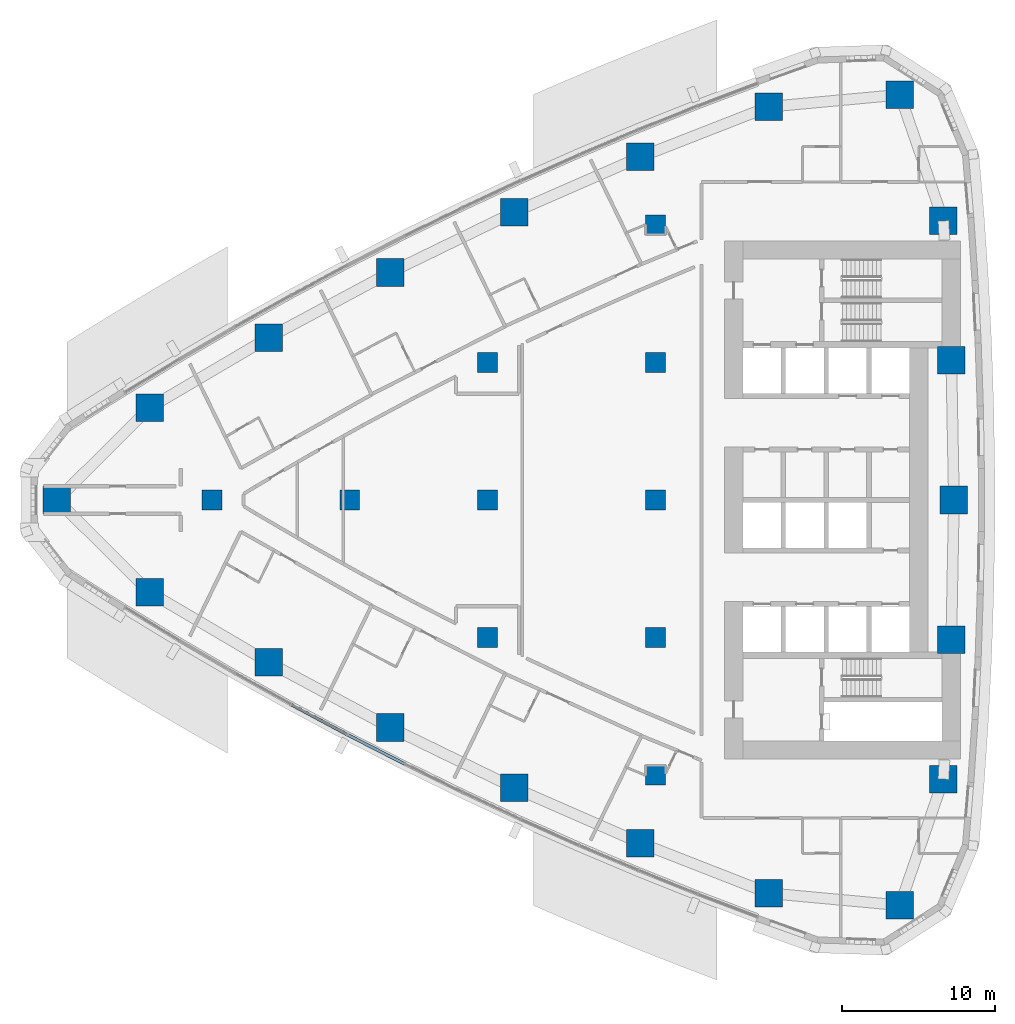
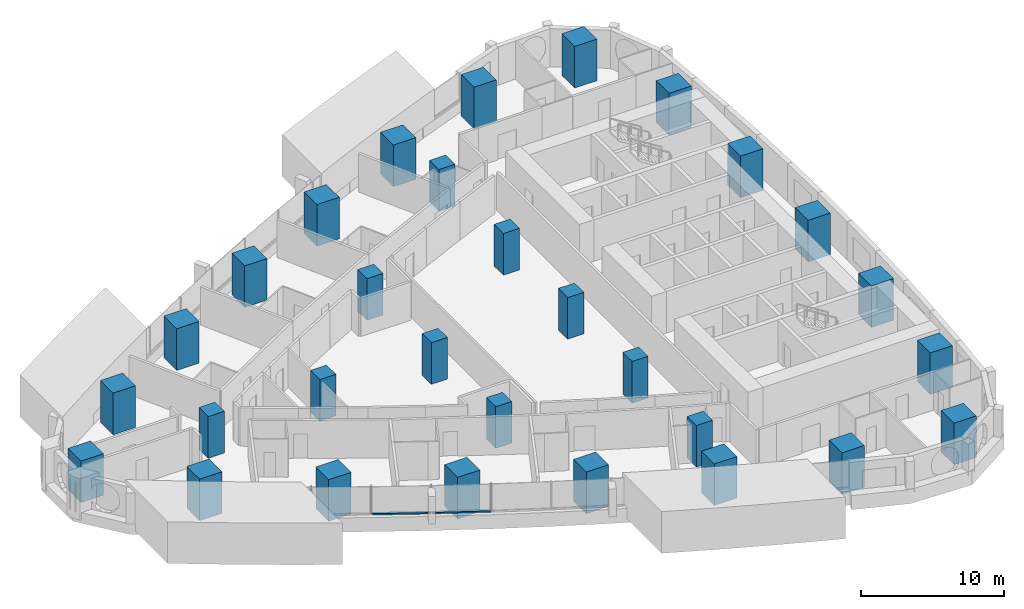
# One storey, part 1 of 19: 30 columns, 2 members, 1 element without a shape of its own.
"""IFC4 building model written with IfcOpenShell, lengths in metres."""

import ifcopenshell
import ifcopenshell.guid

model = None  # the IFC model being written
_history = None  # IfcOwnerHistory: only IFC2X3 demands one
_inside = {}  # id of a spatial element -> (the spatial element, [elements in it])
_under = {}  # id of a project, library or spatial element -> (it, [spatial elements below it])
_declared = {}  # id of a project -> (the project, [libraries it declares])
_typed = {}  # id of a type object -> (the type object, [elements of that type])
_made_of = {}  # id of a material, layer set ... -> (it, [elements and type objects made of it])


def new_model(schema):
    """Start an empty IFC model of exactly this schema.

    Asked for "IFC4X3", IfcOpenShell would pick the latest addendum, in which some entities
    have other attributes; the version numbers below select the first issue.
    IFC2X3 requires an IfcOwnerHistory on every rooted entity: one is made here for all.
    """
    global model, _history
    if schema == "IFC4X3":
        model = ifcopenshell.file(schema_version=(4, 3, 0, 0))
    else:
        model = ifcopenshell.file(schema=schema)
    _inside.clear()
    _under.clear()
    _declared.clear()
    _typed.clear()
    _made_of.clear()
    _history = None
    if model.schema == "IFC2X3":
        org = make("IfcOrganization", Name="unknown")
        user = make(
            "IfcPersonAndOrganization",
            ThePerson=make("IfcPerson", FamilyName="unknown"),
            TheOrganization=org,
        )
        app = make(
            "IfcApplication",
            ApplicationDeveloper=org,
            Version="unknown",
            ApplicationFullName="unknown",
            ApplicationIdentifier="unknown",
        )
        _history = make(
            "IfcOwnerHistory",
            OwningUser=user,
            OwningApplication=app,
            ChangeAction="ADDED",
            CreationDate=0,
        )
    return model


def make(cls, **values):
    """One entity of the class cls with the attributes given. An attribute that is None is left unset."""
    return model.create_entity(
        cls, **{name: value for name, value in values.items() if value is not None}
    )


def rooted(cls, **values):
    """An entity with a GlobalId (a new one), such as an element, a storey or a relation."""
    return make(cls, GlobalId=ifcopenshell.guid.new(), OwnerHistory=_history, **values)


def si_unit(unit_type, name, prefix=None):
    """IfcSIUnit, for example si_unit("LENGTHUNIT", "METRE", prefix="MILLI")."""
    return make("IfcSIUnit", UnitType=unit_type, Prefix=prefix, Name=name)


def assignment(units):
    """IfcUnitAssignment: the units of a project."""
    return None if units is None else make("IfcUnitAssignment", Units=units)


def point(xyz):
    """IfcCartesianPoint."""
    return None if xyz is None else make("IfcCartesianPoint", Coordinates=xyz)


def direction(xyz):
    """IfcDirection."""
    return None if xyz is None else make("IfcDirection", DirectionRatios=xyz)


def frame(location, z_axis=None, x_axis=None):
    """IfcAxis2Placement3D, a coordinate frame: its origin and axes. An axis left out is left unset."""
    return make(
        "IfcAxis2Placement3D",
        Location=point(location),
        Axis=direction(z_axis),
        RefDirection=direction(x_axis),
    )


def frame_2d(location, x_axis=None):
    """IfcAxis2Placement2D, a coordinate frame in the plane: its origin and x axis."""
    return make(
        "IfcAxis2Placement2D", Location=point(location), RefDirection=direction(x_axis)
    )


def origin():
    """The frame at (0, 0, 0) with its axes left unset."""
    return frame((0.0, 0.0, 0.0))


def origin_2d():
    """The frame at (0, 0) in the plane with its x axis left unset."""
    return frame_2d((0.0, 0.0))


def place(relative_to, where):
    """IfcLocalPlacement: puts the frame where relative to a parent placement (None: the world)."""
    return make(
        "IfcLocalPlacement", PlacementRelTo=relative_to, RelativePlacement=where
    )


def context(
    kind, dimensions, precision=None, world=None, true_north=None, identifier=None
):
    """IfcGeometricRepresentationContext, for example the 3D "Model" context."""
    return make(
        "IfcGeometricRepresentationContext",
        ContextIdentifier=identifier,
        ContextType=kind,
        CoordinateSpaceDimension=dimensions,
        Precision=precision,
        WorldCoordinateSystem=world,
        TrueNorth=true_north,
    )


def subcontext(parent, identifier, kind, view, scale=None):
    """IfcGeometricRepresentationSubContext, for example "Body" below "Model"."""
    return make(
        "IfcGeometricRepresentationSubContext",
        ContextIdentifier=identifier,
        ContextType=kind,
        ParentContext=parent,
        TargetScale=scale,
        TargetView=view,
    )


def project(units=None, contexts=None):
    """IfcProject with its units and contexts."""
    return rooted(
        "IfcProject",
        Name="project",
        RepresentationContexts=contexts,
        UnitsInContext=assignment(units),
    )


def spatial(cls, under=None, at=None, **own):
    """A site, building, storey or space (cls), placed at a placement, below another one or the project."""
    s = rooted(cls, ObjectPlacement=at, **own)
    if under is not None:
        _under.setdefault(under.id(), (under, []))[1].append(s)
    return s


def profile(cls, at=None, kind="AREA", **sizes):
    """A parametric profile (cls). Its sizes go by their IFC names, for example OverallWidth=200.0."""
    return make(cls, ProfileType=kind, Position=at, **sizes)


def rectangle(**sizes):
    """IfcRectangleProfileDef."""
    return profile("IfcRectangleProfileDef", **sizes)


def extrude(swept, where, along, depth):
    """IfcExtrudedAreaSolid: the profile swept, set in the frame where, extruded along a direction by depth."""
    return make(
        "IfcExtrudedAreaSolid",
        SweptArea=swept,
        Position=where,
        ExtrudedDirection=direction(along),
        Depth=depth,
    )


def shape(context_of_items, identifier, shape_type, items):
    """IfcShapeRepresentation: the items that make up one representation, for example the "Body"."""
    return make(
        "IfcShapeRepresentation",
        ContextOfItems=context_of_items,
        RepresentationIdentifier=identifier,
        RepresentationType=shape_type,
        Items=items,
    )


def material(Name=None, Category=None):
    """IfcMaterial."""
    return make("IfcMaterial", Name=Name, Category=Category)


def layer(
    of_material, thickness, ventilated=None, Name=None, Category=None, Priority=None
):
    """IfcMaterialLayer: one layer of a wall or slab, of a material (None: an air gap)."""
    return make(
        "IfcMaterialLayer",
        Material=of_material,
        LayerThickness=thickness,
        IsVentilated=ventilated,
        Name=Name,
        Category=Category,
        Priority=Priority,
    )


def layer_set(layers, Name=None):
    """IfcMaterialLayerSet."""
    return make("IfcMaterialLayerSet", MaterialLayers=layers, LayerSetName=Name)


def material_profile(
    of_material, cross_section, Name=None, Category=None, Priority=None
):
    """IfcMaterialProfile: a cross section and its material."""
    return make(
        "IfcMaterialProfile",
        Name=Name,
        Material=of_material,
        Profile=cross_section,
        Priority=Priority,
        Category=Category,
    )


def profile_set(profiles, Name=None, composite=None):
    """IfcMaterialProfileSet."""
    return make(
        "IfcMaterialProfileSet",
        Name=Name,
        MaterialProfiles=profiles,
        CompositeProfile=composite,
    )


def made_of(thing, what):
    """Note that an element or type object is made of a material, layer set ...; save() writes the relation."""
    if what is not None:
        _made_of.setdefault(what.id(), (what, []))[1].append(thing)
    return thing


def type_object(cls, material=None, **own):
    """A type object (cls), such as IfcWallType, which elements share."""
    return made_of(rooted(cls, **own), material)


def element(
    cls,
    number,
    at=None,
    inside=None,
    cuts=None,
    type_object=None,
    material=None,
    context=None,
    identifier="Body",
    shape_type=None,
    held_by="IfcProductDefinitionShape",
    body=None,
    shapes=None,
    **own,
):
    """One element of the class cls, such as IfcWall. Its Tag is "e" and its number.

    at: its placement. inside: the storey or other place that contains it. cuts: it is an
    opening in that element (IfcRelVoidsElement). A single representation is given by context,
    identifier, shape_type and body (its items); several are given by shapes. held_by: the class
    of the entity that holds the representations. save() writes the other relations.
    """
    e = rooted(cls, Tag="e%d" % number, ObjectPlacement=at, **own)
    if body is not None:
        shapes = [shape(context, identifier, shape_type, body)]
    if shapes is not None:
        e.Representation = make(held_by, Representations=shapes)
    if inside is not None:
        _inside.setdefault(inside.id(), (inside, []))[1].append(e)
    if cuts is not None:
        rooted(
            "IfcRelVoidsElement", RelatingBuildingElement=cuts, RelatedOpeningElement=e
        )
    if type_object is not None:
        _typed.setdefault(type_object.id(), (type_object, []))[1].append(e)
    return made_of(e, material)


def aggregate(whole, parts):
    """IfcRelAggregates: a whole, such as a stair, and the parts it consists of."""
    return rooted("IfcRelAggregates", RelatingObject=whole, RelatedObjects=parts)


def save(model, path):
    """Write the relations noted so far, then the file.

    IfcRelAggregates (storeys below a building ...), IfcRelContainedInSpatialStructure (elements
    in a storey), IfcRelDefinesByType, IfcRelAssociatesMaterial and IfcRelDeclares: one each for
    every whole, place, type object, material and project.
    """
    for whole, parts in _under.values():
        aggregate(whole, parts)
    for where, things in _inside.values():
        rooted(
            "IfcRelContainedInSpatialStructure",
            RelatedElements=things,
            RelatingStructure=where,
        )
    for kind, things in _typed.values():
        rooted("IfcRelDefinesByType", RelatedObjects=things, RelatingType=kind)
    for what, things in _made_of.values():
        rooted("IfcRelAssociatesMaterial", RelatedObjects=things, RelatingMaterial=what)
    for by, libraries in _declared.values():
        rooted("IfcRelDeclares", RelatingContext=by, RelatedDefinitions=libraries)
    model.write(path)


model = new_model("IFC4")

# Units and contexts
model_context = context("Model", 3, precision=1e-05, world=origin(), true_north=direction((0.0, 1.0)))
body_context = subcontext(model_context, "Body", "Model", "MODEL_VIEW")
ifc_project = project(units=[si_unit("LENGTHUNIT", "METRE"), si_unit("AREAUNIT", "SQUARE_METRE"), si_unit("VOLUMEUNIT", "CUBIC_METRE"), si_unit("PLANEANGLEUNIT", "RADIAN"), si_unit("MASSUNIT", "GRAM", prefix="KILO")], contexts=[model_context])

# Site, building, storey
site_placement = place(None, origin())
site = spatial("IfcSite", under=ifc_project, at=site_placement, CompositionType="ELEMENT")
building_placement = place(site_placement, origin())
building = spatial("IfcBuilding", under=site, at=building_placement, Name="Ostrand Prow Hotel Tower", CompositionType="ELEMENT")
storey_placement = place(building_placement, frame((0.0, 0.0, 64.449951171875)))
storey = spatial("IfcBuildingStorey", under=building, at=storey_placement, Name="L14", CompositionType="ELEMENT", Elevation=64.449951171875)

# Columns
ifc_material_1 = material(Name="Concrete C80/95", Category="concrete")
ifc_material_profile_1 = material_profile(ifc_material_1, rectangle(XDim=1.300048828125, YDim=1.300048828125, at=origin_2d()), Name="RC 1300x1300")
ifc_profile_set_1 = profile_set([ifc_material_profile_1], Name="Concrete C80/95")
column_type_1 = type_object("IfcColumnType", Name="Interior column 1300x1300 C80/95", PredefinedType="COLUMN", material=ifc_profile_set_1)
for number, where, z_axis, x_axis, name in (
    (1, (16.0, 0.0, 0.0), (0.0, 0.0, 1.0), (1.0, 0.0, 0.0), "Interior column 16C0"),
    (2, (25.0, 0.0, 0.0), (0.0, 0.0, 1.0), (1.0, 0.0, 0.0), "Interior column 25C0"),
    (3, (34.0, -9.0, 0.0), (0.0, 0.0, 1.0), (1.0, 0.0, 0.0), "Interior column 34S9"),
    (4, (34.0, 0.0, 0.0), (0.0, 0.0, 1.0), (1.0, 0.0, 0.0), "Interior column 34C0"),
    (5, (34.0, 9.0, 0.0), (0.0, 0.0, 1.0), (1.0, 0.0, 0.0), "Interior column 34N9"),
    (6, (45.0, -18.0, 0.0), (0.0, 0.0, 1.0), (1.0, 0.0, 0.0), "Interior column 45S18"),
    (7, (45.0, -9.0, 0.0), (0.0, 0.0, 1.0), (1.0, 0.0, 0.0), "Interior column 45S9"),
    (8, (45.0, 0.0, 0.0), (0.0, 0.0, 1.0), (1.0, 0.0, 0.0), "Interior column 45C0"),
    (9, (45.0, 9.0, 0.0), (0.0, 0.0, 1.0), (1.0, 0.0, 0.0), "Interior column 45N9"),
    (10, (45.0, 18.0, 0.0), (0.0, 0.0, 1.0), (1.0, 0.0, 0.0), "Interior column 45N18"),
):
    element("IfcColumn", number, at=place(storey_placement, frame(where, z_axis=z_axis, x_axis=x_axis)), inside=storey, type_object=column_type_1, Name=name, PredefinedType="COLUMN", context=body_context, shape_type="SweptSolid", body=[
        extrude(rectangle(XDim=1.300048828125, YDim=1.300048828125, at=origin_2d()), origin(), (0.0, 0.0, 1.0), 3.550048828125),
    ])
ifc_material_2 = material(Name="Concrete C80/95", Category="concrete")
ifc_material_profile_2 = material_profile(ifc_material_2, rectangle(XDim=1.800048828125, YDim=1.800048828125, at=origin_2d()), Name="RC 1800x1800")
ifc_profile_set_2 = profile_set([ifc_material_profile_2], Name="Concrete C80/95")
column_type_2 = type_object("IfcColumnType", Name="Stone-faced mega column 1800x1800 C80/95", PredefinedType="COLUMN", material=ifc_profile_set_2)
for number, where, z_axis, x_axis, name in (
    (11, (5.848388671875, 0.0, 0.0), (0.0, 0.0, 1.0), (1.0, 0.0, 0.0), "Mega column P"),
    (12, (11.926513671875, -6.0419921875, 0.0), (0.0, 0.0, 1.0), (1.0, 0.0, 0.0), "Mega column S1"),
    (13, (19.69287109375, -10.61474609375, 0.0), (0.0, 0.0, 1.0), (1.0, 0.0, 0.0), "Mega column S2"),
    (14, (27.635498046875, -14.874267578125, 0.0), (0.0, 0.0, 1.0), (1.0, 0.0, 0.0), "Mega column S3"),
    (15, (35.7412109375, -18.814208984375, 0.0), (0.0, 0.0, 1.0), (1.0, 0.0, 0.0), "Mega column S4"),
    (16, (43.997802734375, -22.427978515625, 0.0), (0.0, 0.0, 1.0), (1.0, 0.0, 0.0), "Mega column S5"),
    (17, (52.3916015625, -25.710205078125, 0.0), (0.0, 0.0, 1.0), (1.0, 0.0, 0.0), "Mega column S6"),
    (18, (60.966064453125, -26.49853515625, 0.0), (0.0, 0.0, 1.0), (1.0, 0.0, 0.0), "Mega column SE"),
    (19, (63.8134765625, -18.248779296875, 0.0), (0.0, 0.0, 1.0), (1.0, 0.0, 0.0), "Mega column B1"),
    (20, (64.328369140625, -9.130859375, 0.0), (0.0, 0.0, 1.0), (1.0, 0.0, 0.0), "Mega column B2"),
    (21, (64.5, 0.0, 0.0), (0.0, 0.0, 1.0), (1.0, 0.0, 0.0), "Mega column B3"),
    (22, (64.328369140625, 9.130859375, 0.0), (0.0, 0.0, 1.0), (1.0, 0.0, 0.0), "Mega column B4"),
    (23, (63.8134765625, 18.248779296875, 0.0), (0.0, 0.0, 1.0), (1.0, 0.0, 0.0), "Mega column B5"),
    (24, (60.966064453125, 26.49853515625, 0.0), (0.0, 0.0, 1.0), (1.0, 0.0, 0.0), "Mega column NE"),
    (25, (52.3916015625, 25.710205078125, 0.0), (0.0, 0.0, 1.0), (1.0, 0.0, 0.0), "Mega column N1"),
    (26, (43.997802734375, 22.427978515625, 0.0), (0.0, 0.0, 1.0), (1.0, 0.0, 0.0), "Mega column N2"),
    (27, (35.7412109375, 18.814208984375, 0.0), (0.0, 0.0, 1.0), (1.0, 0.0, 0.0), "Mega column N3"),
    (28, (27.635498046875, 14.874267578125, 0.0), (0.0, 0.0, 1.0), (1.0, 0.0, 0.0), "Mega column N4"),
    (29, (19.69287109375, 10.61474609375, 0.0), (0.0, 0.0, 1.0), (1.0, 0.0, 0.0), "Mega column N5"),
    (30, (11.926513671875, 6.0419921875, 0.0), (0.0, 0.0, 1.0), (1.0, 0.0, 0.0), "Mega column N6"),
):
    element("IfcColumn", number, at=place(storey_placement, frame(where, z_axis=z_axis, x_axis=x_axis)), inside=storey, type_object=column_type_2, Name=name, PredefinedType="COLUMN", context=body_context, shape_type="SweptSolid", body=[
        extrude(rectangle(XDim=1.800048828125, YDim=1.800048828125, at=origin_2d()), origin(), (0.0, 0.0, 1.0), 3.550048828125),
    ])

# Curtain wall, members
ifc_material_3 = material(Name="Insulated glass in bronze anodised frame", Category="glass")
ifc_layer = layer(ifc_material_3, 0.199951171875)
ifc_layer_set = layer_set([ifc_layer], Name="Insulated glass in bronze anodised frame")
curtain_wall_type = type_object("IfcCurtainWallType", Name="Strip curtain wall, fritted glass over bronze spandrel", PredefinedType="NOTDEFINED", material=ifc_layer_set)
curtain_wall_placement = place(storey_placement, origin())
curtain_wall = element("IfcCurtainWall", 31, at=curtain_wall_placement, inside=storey, type_object=curtain_wall_type, Name="CW1 run CWS2", PredefinedType="NOTDEFINED")
ifc_material_4 = material(Name="Bronze anodised aluminium", Category="aluminium")
ifc_material_profile_3 = material_profile(ifc_material_4, rectangle(XDim=0.199951171875, YDim=0.1201171875, at=origin_2d()), Name="Transom 120x200 bronze anodised aluminium")
ifc_profile_set_3 = profile_set([ifc_material_profile_3], Name="Bronze anodised aluminium")
member_type = type_object("IfcMemberType", Name="Transom 120x200 bronze anodised aluminium", PredefinedType="USERDEFINED", material=ifc_profile_set_3)
member_1_placement = place(storey_placement, frame((21.187255859375, -13.386962890625, 0.9599609375), z_axis=(0.881657241639, -0.471890356191, 0.0), x_axis=(0.471890356191, 0.881657241639, 0.0)))
member_1 = element("IfcMember", 32, at=member_1_placement, type_object=member_type, Name="CW1 transom 2.1", ObjectType="TRANSOM", PredefinedType="USERDEFINED", context=body_context, shape_type="SweptSolid", body=[
    extrude(rectangle(XDim=0.199951171875, YDim=0.1201171875, at=origin_2d()), origin(), (0.0, 0.0, 1.0), 4.13427734375),
])
member_2_placement = place(storey_placement, frame((24.885498046875, -15.36572265625, 0.9599609375), z_axis=(0.890182999343, -0.455603147136, 0.0), x_axis=(0.455603147136, 0.890182999343, 0.0)))
member_2 = element("IfcMember", 33, at=member_2_placement, type_object=member_type, Name="CW1 transom 3.1", ObjectType="TRANSOM", PredefinedType="USERDEFINED", context=body_context, shape_type="SweptSolid", body=[
    extrude(rectangle(XDim=0.199951171875, YDim=0.1201171875, at=origin_2d()), origin(), (0.0, 0.0, 1.0), 4.13427734375),
])
aggregate(curtain_wall, [member_1, member_2])

save(model, "model.ifc")
